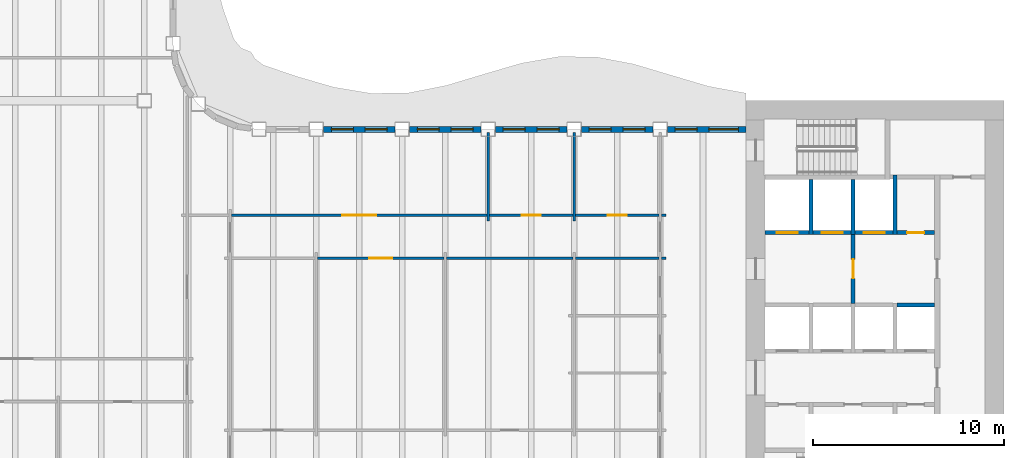
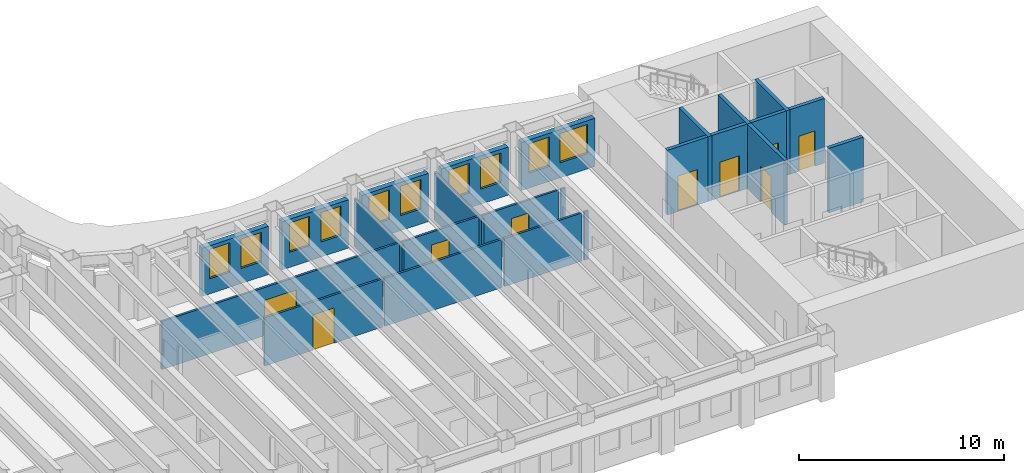
# One storey, part 7 of 17: 24 walls, 10 windows, 9 doors, 19 openings.
"""IFC4 building model written with IfcOpenShell, lengths in metres."""

from ifc_helpers import new_model, si_unit, direction, frame, frame_2d, origin, place, context, subcontext, project, spatial, rectangle, extrude, material, layer, layer_set, type_object, element, fill, save


model = new_model("IFC4")

# Units and contexts
model_context = context("Model", 3, precision=1e-05, world=origin(), true_north=direction((0.0, 1.0)))
body_context = subcontext(model_context, "Body", "Model", "MODEL_VIEW")
ifc_project = project(units=[si_unit("LENGTHUNIT", "METRE"), si_unit("AREAUNIT", "SQUARE_METRE"), si_unit("VOLUMEUNIT", "CUBIC_METRE"), si_unit("PLANEANGLEUNIT", "RADIAN"), si_unit("MASSUNIT", "GRAM", prefix="KILO")], contexts=[model_context])

# Site, building, storey
site_placement = place(None, origin())
site = spatial("IfcSite", under=ifc_project, at=site_placement, CompositionType="ELEMENT")
building_placement = place(site_placement, origin())
building = spatial("IfcBuilding", under=site, at=building_placement, Name="Sennacour Bend Tower", CompositionType="ELEMENT")
storey_placement = place(building_placement, frame((0.0, 0.0, 215.0)))
storey = spatial("IfcBuildingStorey", under=building, at=storey_placement, Name="L49", CompositionType="ELEMENT", Elevation=215.0)

# Walls
ifc_material_1 = material(Name="Plasterboard partition on steel studs", Category="steel")
ifc_layer_1 = layer(ifc_material_1, 0.1201171875, Name="Plasterboard partition on steel studs", Category="steel")
ifc_layer_set_1 = layer_set([ifc_layer_1], Name="Plasterboard partition on steel studs")
wall_type_1 = type_object("IfcWallType", Name="Partition 120", PredefinedType="PARTITIONING", material=ifc_layer_set_1)
for number, where, z_axis, x_axis, name in (
    (1, (40.5, 16.199951171875, 0.0), (0.0, 0.0, 1.0), (0.0, 1.0, 0.0), "P-L49-W029a"),
    (2, (45.0, 16.199951171875, 0.0), (0.0, 0.0, 1.0), (0.0, 1.0, 0.0), "P-L49-W032a"),
):
    element("IfcWall", number, at=place(storey_placement, frame(where, z_axis=z_axis, x_axis=x_axis)), inside=storey, type_object=wall_type_1, Name=name, PredefinedType="PARTITIONING", context=body_context, shape_type="SweptSolid", body=[
        extrude(rectangle(XDim=4.650146484375, YDim=0.1201171875, at=frame_2d((2.3251953125, 0.0))), origin(), (0.0, 0.0, 1.0), 2.8701171875),
    ])

# Wall, opening, door
wall_1_placement = place(storey_placement, frame((31.56005859375, 14.25, 0.0), z_axis=(0.0, 0.0, 1.0), x_axis=(1.0, 0.0, 0.0)))
wall_1 = element("IfcWall", 3, at=wall_1_placement, inside=storey, type_object=wall_type_1, Name="P-L49-W065ac", PredefinedType="PARTITIONING", context=body_context, shape_type="SweptSolid", body=[
    extrude(rectangle(XDim=6.6298828125, YDim=0.1201171875, at=frame_2d((3.31494140625, 0.0))), origin(), (0.0, 0.0, 1.0), 2.8701171875),
])
opening_1_placement = place(wall_1_placement, frame((2.71484375, 0.0, 0.0)))
opening_1 = element("IfcOpeningElement", 4, at=opening_1_placement, cuts=wall_1, Name="Opening OD", PredefinedType="OPENING", context=body_context, shape_type="SweptSolid", body=[
    extrude(rectangle(XDim=1.199951171875, YDim=2.10009765625, at=frame_2d((0.60009765625, 1.050048828125))), frame((0.0, 0.070068359375, 0.0), z_axis=(0.0, -1.0, 0.0), x_axis=(1.0, 0.0, 0.0)), (0.0, 0.0, 1.0), 0.14013671875),
])
ifc_material_2 = material(Name="Timber", Category="wood")
door_type_1 = type_object("IfcDoorType", Name="DR-OFFICE-1200", OperationType="NOTDEFINED", PredefinedType="DOOR", material=ifc_material_2)
door_1_placement = place(opening_1_placement, origin())
door_1 = element("IfcDoor", 5, at=door_1_placement, inside=storey, type_object=door_type_1, Name="Door", OperationType="SINGLE_SWING_LEFT", OverallHeight=2.10009765625, OverallWidth=1.199951171875, PredefinedType="DOOR", context=body_context, shape_type="SweptSolid", body=[
    extrude(rectangle(XDim=1.199951171875, YDim=2.10009765625, at=frame_2d((0.60009765625, 1.050048828125))), frame((0.0, 0.02490234375, 0.0), z_axis=(0.0, -1.0, 0.0), x_axis=(1.0, 0.0, 0.0)), (0.0, 0.0, 1.0), 0.050048828125),
])
fill(opening_1, door_1)

# Walls
wall_2_placement = place(storey_placement, frame((38.31005859375, 14.25, 0.0), z_axis=(0.0, 0.0, 1.0), x_axis=(1.0, 0.0, 0.0)))
element("IfcWall", 6, at=wall_2_placement, inside=storey, type_object=wall_type_1, Name="P-L49-W065ad", PredefinedType="PARTITIONING", context=body_context, shape_type="SweptSolid", body=[
    extrude(rectangle(XDim=6.6298828125, YDim=0.1201171875, at=frame_2d((3.31494140625, 0.0))), origin(), (0.0, 0.0, 1.0), 2.8701171875),
])
wall_3_placement = place(storey_placement, frame((45.06005859375, 14.25, 0.0), z_axis=(0.0, 0.0, 1.0), x_axis=(1.0, 0.0, 0.0)))
element("IfcWall", 7, at=wall_3_placement, inside=storey, type_object=wall_type_1, Name="P-L49-W065ae", PredefinedType="PARTITIONING", context=body_context, shape_type="SweptSolid", body=[
    extrude(rectangle(XDim=4.3798828125, YDim=0.1201171875, at=frame_2d((2.18994140625, 0.0))), origin(), (0.0, 0.0, 1.0), 2.8701171875),
])
wall_4_placement = place(storey_placement, frame((49.56005859375, 14.25, 0.0), z_axis=(0.0, 0.0, 1.0), x_axis=(1.0, 0.0, 0.0)))
element("IfcWall", 8, at=wall_4_placement, inside=storey, type_object=wall_type_1, Name="P-L49-W065af", PredefinedType="PARTITIONING", context=body_context, shape_type="SweptSolid", body=[
    extrude(rectangle(XDim=0.239990234375, YDim=0.1201171875, at=frame_2d((0.1201171875, 0.0))), origin(), (0.0, 0.0, 1.0), 2.8701171875),
])

# Wall, opening, door
wall_5_placement = place(storey_placement, frame((27.06005859375, 16.5, 0.0), z_axis=(0.0, 0.0, 1.0), x_axis=(1.0, 0.0, 0.0)))
wall_5 = element("IfcWall", 9, at=wall_5_placement, inside=storey, type_object=wall_type_1, Name="P-L49-W068ac", PredefinedType="PARTITIONING", context=body_context, shape_type="SweptSolid", body=[
    extrude(rectangle(XDim=13.3798828125, YDim=0.1201171875, at=frame_2d((6.68994140625, 0.0))), origin(), (0.0, 0.0, 1.0), 2.8701171875),
])
opening_2_placement = place(wall_5_placement, frame((5.789794921875, 0.0, 0.0)))
opening_2 = element("IfcOpeningElement", 10, at=opening_2_placement, cuts=wall_5, Name="Opening OD3", PredefinedType="OPENING", context=body_context, shape_type="SweptSolid", body=[
    extrude(rectangle(XDim=1.800048828125, YDim=2.10009765625, at=frame_2d((0.89990234375, 1.050048828125))), frame((0.0, 0.070068359375, 0.0), z_axis=(0.0, -1.0, 0.0), x_axis=(1.0, 0.0, 0.0)), (0.0, 0.0, 1.0), 0.14013671875),
])
door_type_2 = type_object("IfcDoorType", Name="DR-OFFICE-1800", OperationType="NOTDEFINED", PredefinedType="DOOR", material=ifc_material_2)
door_2_placement = place(opening_2_placement, origin())
door_2 = element("IfcDoor", 11, at=door_2_placement, inside=storey, type_object=door_type_2, Name="Door", OperationType="DOUBLE_DOOR_SINGLE_SWING", OverallHeight=2.10009765625, OverallWidth=1.800048828125, PredefinedType="DOOR", context=body_context, shape_type="SweptSolid", body=[
    extrude(rectangle(XDim=1.800048828125, YDim=2.10009765625, at=frame_2d((0.89990234375, 1.050048828125))), frame((0.0, 0.02490234375, 0.0), z_axis=(0.0, -1.0, 0.0), x_axis=(1.0, 0.0, 0.0)), (0.0, 0.0, 1.0), 0.050048828125),
])
fill(opening_2, door_2)

wall_6_placement = place(storey_placement, frame((40.56005859375, 16.5, 0.0), z_axis=(0.0, 0.0, 1.0), x_axis=(1.0, 0.0, 0.0)))
wall_6 = element("IfcWall", 12, at=wall_6_placement, inside=storey, type_object=wall_type_1, Name="P-L49-W068ad", PredefinedType="PARTITIONING", context=body_context, shape_type="SweptSolid", body=[
    extrude(rectangle(XDim=4.3798828125, YDim=0.1201171875, at=frame_2d((2.18994140625, 0.0))), origin(), (0.0, 0.0, 1.0), 2.8701171875),
])
opening_3_placement = place(wall_6_placement, frame((1.68994140625, 0.0, 0.0)))
opening_3 = element("IfcOpeningElement", 13, at=opening_3_placement, cuts=wall_6, Name="Opening OD2", PredefinedType="OPENING", context=body_context, shape_type="SweptSolid", body=[
    extrude(rectangle(XDim=1.0, YDim=2.10009765625, at=frame_2d((0.5, 1.050048828125))), frame((0.0, 0.070068359375, 0.0), z_axis=(0.0, -1.0, 0.0), x_axis=(1.0, 0.0, 0.0)), (0.0, 0.0, 1.0), 0.14013671875),
])
door_type_3 = type_object("IfcDoorType", Name="DR-OFFICE-1000", OperationType="NOTDEFINED", PredefinedType="DOOR", material=ifc_material_2)
door_3_placement = place(opening_3_placement, origin())
door_3 = element("IfcDoor", 14, at=door_3_placement, inside=storey, type_object=door_type_3, Name="Door", OperationType="SINGLE_SWING_LEFT", OverallHeight=2.10009765625, OverallWidth=1.0, PredefinedType="DOOR", context=body_context, shape_type="SweptSolid", body=[
    extrude(rectangle(XDim=1.0, YDim=2.10009765625, at=frame_2d((0.5, 1.050048828125))), frame((0.0, 0.02490234375, 0.0), z_axis=(0.0, -1.0, 0.0), x_axis=(1.0, 0.0, 0.0)), (0.0, 0.0, 1.0), 0.050048828125),
])
fill(opening_3, door_3)

wall_7_placement = place(storey_placement, frame((45.06005859375, 16.5, 0.0), z_axis=(0.0, 0.0, 1.0), x_axis=(1.0, 0.0, 0.0)))
wall_7 = element("IfcWall", 15, at=wall_7_placement, inside=storey, type_object=wall_type_1, Name="P-L49-W068ae", PredefinedType="PARTITIONING", context=body_context, shape_type="SweptSolid", body=[
    extrude(rectangle(XDim=4.3798828125, YDim=0.1201171875, at=frame_2d((2.18994140625, 0.0))), origin(), (0.0, 0.0, 1.0), 2.8701171875),
])
opening_4_placement = place(wall_7_placement, frame((1.68994140625, 0.0, 0.0)))
opening_4 = element("IfcOpeningElement", 16, at=opening_4_placement, cuts=wall_7, Name="Opening OD2", PredefinedType="OPENING", context=body_context, shape_type="SweptSolid", body=[
    extrude(rectangle(XDim=1.0, YDim=2.10009765625, at=frame_2d((0.5, 1.050048828125))), frame((0.0, 0.070068359375, 0.0), z_axis=(0.0, -1.0, 0.0), x_axis=(1.0, 0.0, 0.0)), (0.0, 0.0, 1.0), 0.14013671875),
])
door_4_placement = place(opening_4_placement, origin())
door_4 = element("IfcDoor", 17, at=door_4_placement, inside=storey, type_object=door_type_3, Name="Door", OperationType="SINGLE_SWING_LEFT", OverallHeight=2.10009765625, OverallWidth=1.0, PredefinedType="DOOR", context=body_context, shape_type="SweptSolid", body=[
    extrude(rectangle(XDim=1.0, YDim=2.10009765625, at=frame_2d((0.5, 1.050048828125))), frame((0.0, 0.02490234375, 0.0), z_axis=(0.0, -1.0, 0.0), x_axis=(1.0, 0.0, 0.0)), (0.0, 0.0, 1.0), 0.050048828125),
])
fill(opening_4, door_4)

# Wall
wall_8_placement = place(storey_placement, frame((49.56005859375, 16.5, 0.0), z_axis=(0.0, 0.0, 1.0), x_axis=(1.0, 0.0, 0.0)))
element("IfcWall", 18, at=wall_8_placement, inside=storey, type_object=wall_type_1, Name="P-L49-W068af", PredefinedType="PARTITIONING", context=body_context, shape_type="SweptSolid", body=[
    extrude(rectangle(XDim=0.239990234375, YDim=0.1201171875, at=frame_2d((0.1201171875, 0.0))), origin(), (0.0, 0.0, 1.0), 2.8701171875),
])

# Wall, opening, door
ifc_material_3 = material(Name="Fire-rated plasterboard partition on steel studs", Category="steel")
ifc_layer_2 = layer(ifc_material_3, 0.199951171875, Name="Fire-rated plasterboard partition on steel studs", Category="steel")
ifc_layer_set_2 = layer_set([ifc_layer_2], Name="Fire-rated plasterboard partition on steel studs")
wall_type_2 = type_object("IfcWallType", Name="Rated partition 200", PredefinedType="PARTITIONING", material=ifc_layer_set_2)
wall_9_placement = place(storey_placement, frame((61.89990234375, 15.60009765625, 0.0), z_axis=(0.0, 0.0, 1.0), x_axis=(1.0, 0.0, 0.0)))
wall_9 = element("IfcWall", 19, at=wall_9_placement, inside=storey, type_object=wall_type_2, Name="P-L49-W067", PredefinedType="PARTITIONING", context=body_context, shape_type="SweptSolid", body=[
    extrude(rectangle(XDim=1.9501953125, YDim=0.199951171875, at=frame_2d((0.97509765625, 0.0))), origin(), (0.0, 0.0, 1.0), 3.85009765625),
])
opening_5_placement = place(wall_9_placement, frame((0.525146484375, 0.0, 0.0)))
opening_5 = element("IfcOpeningElement", 20, at=opening_5_placement, cuts=wall_9, Name="Opening SV", PredefinedType="OPENING", context=body_context, shape_type="SweptSolid", body=[
    extrude(rectangle(XDim=0.89990234375, YDim=2.10009765625, at=frame_2d((0.449951171875, 1.050048828125))), frame((0.0, 0.10986328125, 0.0), z_axis=(0.0, -1.0, 0.0), x_axis=(1.0, 0.0, 0.0)), (0.0, 0.0, 1.0), 0.219970703125),
])
ifc_material_4 = material(Name="Painted steel", Category="steel")
door_type_4 = type_object("IfcDoorType", Name="DR-SERVICE-900", OperationType="NOTDEFINED", PredefinedType="DOOR", material=ifc_material_4)
door_5_placement = place(opening_5_placement, origin())
door_5 = element("IfcDoor", 21, at=door_5_placement, inside=storey, type_object=door_type_4, Name="Door", OperationType="SINGLE_SWING_RIGHT", OverallHeight=2.10009765625, OverallWidth=0.89990234375, PredefinedType="DOOR", context=body_context, shape_type="SweptSolid", body=[
    extrude(rectangle(XDim=0.89990234375, YDim=2.10009765625, at=frame_2d((0.449951171875, 1.050048828125))), frame((0.0, 0.02490234375, 0.0), z_axis=(0.0, -1.0, 0.0), x_axis=(1.0, 0.0, 0.0)), (0.0, 0.0, 1.0), 0.050048828125),
])
fill(opening_5, door_5)

ifc_layer_3 = layer(ifc_material_3, 0.199951171875, Name="Fire-rated plasterboard partition on steel studs", Category="steel")
ifc_layer_set_3 = layer_set([ifc_layer_3], Name="Fire-rated plasterboard partition on steel studs")
wall_type_3 = type_object("IfcWallType", Name="Rated partition 200 EI 90", PredefinedType="PARTITIONING", material=ifc_layer_set_3)
wall_10_placement = place(storey_placement, frame((59.60009765625, 11.89990234375, 0.0), z_axis=(0.0, 0.0, 1.0), x_axis=(0.0, 1.0, 0.0)))
wall_10 = element("IfcWall", 22, at=wall_10_placement, inside=storey, type_object=wall_type_3, Name="P-L49-W039", PredefinedType="PARTITIONING", context=body_context, shape_type="SweptSolid", body=[
    extrude(rectangle(XDim=3.60009765625, YDim=0.199951171875, at=frame_2d((1.800048828125, 0.0))), origin(), (0.0, 0.0, 1.0), 3.85009765625),
])
opening_6_placement = place(wall_10_placement, frame((1.300048828125, 0.0, 0.0)))
opening_6 = element("IfcOpeningElement", 23, at=opening_6_placement, cuts=wall_10, Name="Opening FD2", PredefinedType="OPENING", context=body_context, shape_type="SweptSolid", body=[
    extrude(rectangle(XDim=1.0, YDim=2.10009765625, at=frame_2d((0.5, 1.050048828125))), frame((0.0, 0.10986328125, 0.0), z_axis=(0.0, -1.0, 0.0), x_axis=(1.0, 0.0, 0.0)), (0.0, 0.0, 1.0), 0.219970703125),
])
door_type_5 = type_object("IfcDoorType", Name="DR-FFL-1000", OperationType="NOTDEFINED", PredefinedType="DOOR", material=ifc_material_4)
door_6_placement = place(opening_6_placement, origin())
door_6 = element("IfcDoor", 24, at=door_6_placement, inside=storey, type_object=door_type_5, Name="Door", OperationType="SINGLE_SWING_LEFT", OverallHeight=2.10009765625, OverallWidth=1.0, PredefinedType="DOOR", context=body_context, shape_type="SweptSolid", body=[
    extrude(rectangle(XDim=1.0, YDim=2.10009765625, at=frame_2d((0.5, 1.050048828125))), frame((0.0, 0.02490234375, 0.0), z_axis=(0.0, -1.0, 0.0), x_axis=(1.0, 0.0, 0.0)), (0.0, 0.0, 1.0), 0.050048828125),
])
fill(opening_6, door_6)

# Wall, openings, windows
ifc_material_5 = material(Name="Warm limestone cladding", Category="masonry")
ifc_layer_4 = layer(ifc_material_5, 0.050048828125, Name="Warm limestone cladding", Category="masonry")
ifc_material_6 = material(Name="Precast concrete C40/50", Category="concrete")
ifc_layer_5 = layer(ifc_material_6, 0.25, Name="Precast concrete C40/50", Category="concrete")
ifc_layer_set_4 = layer_set([ifc_layer_4, ifc_layer_5], Name="Precast concrete C40/50 with limestone cladding")
wall_type_4 = type_object("IfcWallType", Name="STONE-CLAD PRECAST SPANDREL 300", PredefinedType="STANDARD", material=ifc_layer_set_4)
wall_11_placement = place(storey_placement, frame((54.0, 21.0, 0.0), z_axis=(0.0, 0.0, 1.0), x_axis=(-1.0, 0.0, 0.0)))
wall_11 = element("IfcWall", 25, at=wall_11_placement, inside=storey, type_object=wall_type_4, Name="Stone spandrel and pier wall L49 06.00", PredefinedType="STANDARD", context=body_context, shape_type="SweptSolid", body=[
    extrude(rectangle(XDim=4.125, YDim=0.300048828125, at=frame_2d((2.0625, 0.0))), origin(), (0.0, 0.0, 1.0), 2.8701171875),
])
opening_7_placement = place(wall_11_placement, frame((0.39990234375, 0.0, 0.89990234375)))
opening_7 = element("IfcOpeningElement", 26, at=opening_7_placement, cuts=wall_11, Name="Opening W12", PredefinedType="OPENING", context=body_context, shape_type="SweptSolid", body=[
    extrude(rectangle(XDim=1.550048828125, YDim=1.75, at=frame_2d((0.77490234375, 0.875))), frame((0.0, 0.16015625, 0.0), z_axis=(0.0, -1.0, 0.0), x_axis=(1.0, 0.0, 0.0)), (0.0, 0.0, 1.0), 0.320068359375),
])
opening_8_placement = place(wall_11_placement, frame((2.5625, 0.0, 0.89990234375)))
opening_8 = element("IfcOpeningElement", 27, at=opening_8_placement, cuts=wall_11, Name="Opening W23", PredefinedType="OPENING", context=body_context, shape_type="SweptSolid", body=[
    extrude(rectangle(XDim=1.14990234375, YDim=1.75, at=frame_2d((0.574951171875, 0.875))), frame((0.0, 0.16015625, 0.0), z_axis=(0.0, -1.0, 0.0), x_axis=(1.0, 0.0, 0.0)), (0.0, 0.0, 1.0), 0.320068359375),
])
ifc_material_7 = material(Name="Clear low-emissivity glass", Category="glass")
window_type_1 = type_object("IfcWindowType", Name="WIN-RIBBON-1150x1750", PartitioningType="SINGLE_PANEL", PredefinedType="WINDOW", material=ifc_material_7)
window_1_placement = place(opening_8_placement, origin())
window_1 = element("IfcWindow", 28, at=window_1_placement, inside=storey, type_object=window_type_1, Name="Ribbon window L49 06.00.1", OverallHeight=1.75, OverallWidth=1.14990234375, PartitioningType="SINGLE_PANEL", PredefinedType="WINDOW", context=body_context, shape_type="SweptSolid", body=[
    extrude(rectangle(XDim=1.14990234375, YDim=1.75, at=frame_2d((0.574951171875, 0.875))), frame((0.0, 0.030029296875, 0.0), z_axis=(0.0, -1.0, 0.0), x_axis=(1.0, 0.0, 0.0)), (0.0, 0.0, 1.0), 0.06005859375),
])
fill(opening_8, window_1)
window_type_2 = type_object("IfcWindowType", Name="WIN-RIBBON-1550x1750", PartitioningType="SINGLE_PANEL", PredefinedType="WINDOW", material=ifc_material_7)
window_2_placement = place(opening_7_placement, origin())
window_2 = element("IfcWindow", 29, at=window_2_placement, inside=storey, type_object=window_type_2, Name="Ribbon window L49 06.00.0", OverallHeight=1.75, OverallWidth=1.550048828125, PartitioningType="SINGLE_PANEL", PredefinedType="WINDOW", context=body_context, shape_type="SweptSolid", body=[
    extrude(rectangle(XDim=1.550048828125, YDim=1.75, at=frame_2d((0.77490234375, 0.875))), frame((0.0, 0.030029296875, 0.0), z_axis=(0.0, -1.0, 0.0), x_axis=(1.0, 0.0, 0.0)), (0.0, 0.0, 1.0), 0.06005859375),
])
fill(opening_7, window_2)

wall_12_placement = place(storey_placement, frame((49.125, 21.0, 0.0), z_axis=(0.0, 0.0, 1.0), x_axis=(-1.0, 0.0, 0.0)))
wall_12 = element("IfcWall", 30, at=wall_12_placement, inside=storey, type_object=wall_type_4, Name="Stone spandrel and pier wall L49 06.01", PredefinedType="STANDARD", context=body_context, shape_type="SweptSolid", body=[
    extrude(rectangle(XDim=3.75, YDim=0.300048828125, at=frame_2d((1.875, 0.0))), origin(), (0.0, 0.0, 1.0), 2.8701171875),
])
opening_9_placement = place(wall_12_placement, frame((0.41259765625, 0.0, 0.89990234375)))
opening_9 = element("IfcOpeningElement", 31, at=opening_9_placement, cuts=wall_12, Name="Opening W23", PredefinedType="OPENING", context=body_context, shape_type="SweptSolid", body=[
    extrude(rectangle(XDim=1.14990234375, YDim=1.75, at=frame_2d((0.574951171875, 0.875))), frame((0.0, 0.16015625, 0.0), z_axis=(0.0, -1.0, 0.0), x_axis=(1.0, 0.0, 0.0)), (0.0, 0.0, 1.0), 0.320068359375),
])
opening_10_placement = place(wall_12_placement, frame((2.1875, 0.0, 0.89990234375)))
opening_10 = element("IfcOpeningElement", 32, at=opening_10_placement, cuts=wall_12, Name="Opening W23", PredefinedType="OPENING", context=body_context, shape_type="SweptSolid", body=[
    extrude(rectangle(XDim=1.14990234375, YDim=1.75, at=frame_2d((0.574951171875, 0.875))), frame((0.0, 0.16015625, 0.0), z_axis=(0.0, -1.0, 0.0), x_axis=(1.0, 0.0, 0.0)), (0.0, 0.0, 1.0), 0.320068359375),
])
window_3_placement = place(opening_9_placement, origin())
window_3 = element("IfcWindow", 33, at=window_3_placement, inside=storey, type_object=window_type_1, Name="Ribbon window L49 06.01.0", OverallHeight=1.75, OverallWidth=1.14990234375, PartitioningType="SINGLE_PANEL", PredefinedType="WINDOW", context=body_context, shape_type="SweptSolid", body=[
    extrude(rectangle(XDim=1.14990234375, YDim=1.75, at=frame_2d((0.574951171875, 0.875))), frame((0.0, 0.030029296875, 0.0), z_axis=(0.0, -1.0, 0.0), x_axis=(1.0, 0.0, 0.0)), (0.0, 0.0, 1.0), 0.06005859375),
])
fill(opening_9, window_3)
window_4_placement = place(opening_10_placement, origin())
window_4 = element("IfcWindow", 34, at=window_4_placement, inside=storey, type_object=window_type_1, Name="Ribbon window L49 06.01.1", OverallHeight=1.75, OverallWidth=1.14990234375, PartitioningType="SINGLE_PANEL", PredefinedType="WINDOW", context=body_context, shape_type="SweptSolid", body=[
    extrude(rectangle(XDim=1.14990234375, YDim=1.75, at=frame_2d((0.574951171875, 0.875))), frame((0.0, 0.030029296875, 0.0), z_axis=(0.0, -1.0, 0.0), x_axis=(1.0, 0.0, 0.0)), (0.0, 0.0, 1.0), 0.06005859375),
])
fill(opening_10, window_4)

wall_13_placement = place(storey_placement, frame((44.625, 21.0, 0.0), z_axis=(0.0, 0.0, 1.0), x_axis=(-1.0, 0.0, 0.0)))
wall_13 = element("IfcWall", 35, at=wall_13_placement, inside=storey, type_object=wall_type_4, Name="Stone spandrel and pier wall L49 06.02", PredefinedType="STANDARD", context=body_context, shape_type="SweptSolid", body=[
    extrude(rectangle(XDim=3.75, YDim=0.300048828125, at=frame_2d((1.875, 0.0))), origin(), (0.0, 0.0, 1.0), 2.8701171875),
])
opening_11_placement = place(wall_13_placement, frame((0.41259765625, 0.0, 0.89990234375)))
opening_11 = element("IfcOpeningElement", 36, at=opening_11_placement, cuts=wall_13, Name="Opening W23", PredefinedType="OPENING", context=body_context, shape_type="SweptSolid", body=[
    extrude(rectangle(XDim=1.14990234375, YDim=1.75, at=frame_2d((0.574951171875, 0.875))), frame((0.0, 0.16015625, 0.0), z_axis=(0.0, -1.0, 0.0), x_axis=(1.0, 0.0, 0.0)), (0.0, 0.0, 1.0), 0.320068359375),
])
opening_12_placement = place(wall_13_placement, frame((2.1875, 0.0, 0.89990234375)))
opening_12 = element("IfcOpeningElement", 37, at=opening_12_placement, cuts=wall_13, Name="Opening W23", PredefinedType="OPENING", context=body_context, shape_type="SweptSolid", body=[
    extrude(rectangle(XDim=1.14990234375, YDim=1.75, at=frame_2d((0.574951171875, 0.875))), frame((0.0, 0.16015625, 0.0), z_axis=(0.0, -1.0, 0.0), x_axis=(1.0, 0.0, 0.0)), (0.0, 0.0, 1.0), 0.320068359375),
])
window_5_placement = place(opening_11_placement, origin())
window_5 = element("IfcWindow", 38, at=window_5_placement, inside=storey, type_object=window_type_1, Name="Ribbon window L49 06.02.0", OverallHeight=1.75, OverallWidth=1.14990234375, PartitioningType="SINGLE_PANEL", PredefinedType="WINDOW", context=body_context, shape_type="SweptSolid", body=[
    extrude(rectangle(XDim=1.14990234375, YDim=1.75, at=frame_2d((0.574951171875, 0.875))), frame((0.0, 0.030029296875, 0.0), z_axis=(0.0, -1.0, 0.0), x_axis=(1.0, 0.0, 0.0)), (0.0, 0.0, 1.0), 0.06005859375),
])
fill(opening_11, window_5)
window_6_placement = place(opening_12_placement, origin())
window_6 = element("IfcWindow", 39, at=window_6_placement, inside=storey, type_object=window_type_1, Name="Ribbon window L49 06.02.1", OverallHeight=1.75, OverallWidth=1.14990234375, PartitioningType="SINGLE_PANEL", PredefinedType="WINDOW", context=body_context, shape_type="SweptSolid", body=[
    extrude(rectangle(XDim=1.14990234375, YDim=1.75, at=frame_2d((0.574951171875, 0.875))), frame((0.0, 0.030029296875, 0.0), z_axis=(0.0, -1.0, 0.0), x_axis=(1.0, 0.0, 0.0)), (0.0, 0.0, 1.0), 0.06005859375),
])
fill(opening_12, window_6)

wall_14_placement = place(storey_placement, frame((40.125, 21.0, 0.0), z_axis=(0.0, 0.0, 1.0), x_axis=(-1.0, 0.0, 0.0)))
wall_14 = element("IfcWall", 40, at=wall_14_placement, inside=storey, type_object=wall_type_4, Name="Stone spandrel and pier wall L49 06.03", PredefinedType="STANDARD", context=body_context, shape_type="SweptSolid", body=[
    extrude(rectangle(XDim=3.75, YDim=0.300048828125, at=frame_2d((1.875, 0.0))), origin(), (0.0, 0.0, 1.0), 2.8701171875),
])
opening_13_placement = place(wall_14_placement, frame((0.41259765625, 0.0, 0.89990234375)))
opening_13 = element("IfcOpeningElement", 41, at=opening_13_placement, cuts=wall_14, Name="Opening W23", PredefinedType="OPENING", context=body_context, shape_type="SweptSolid", body=[
    extrude(rectangle(XDim=1.14990234375, YDim=1.75, at=frame_2d((0.574951171875, 0.875))), frame((0.0, 0.16015625, 0.0), z_axis=(0.0, -1.0, 0.0), x_axis=(1.0, 0.0, 0.0)), (0.0, 0.0, 1.0), 0.320068359375),
])
opening_14_placement = place(wall_14_placement, frame((2.1875, 0.0, 0.89990234375)))
opening_14 = element("IfcOpeningElement", 42, at=opening_14_placement, cuts=wall_14, Name="Opening W23", PredefinedType="OPENING", context=body_context, shape_type="SweptSolid", body=[
    extrude(rectangle(XDim=1.14990234375, YDim=1.75, at=frame_2d((0.574951171875, 0.875))), frame((0.0, 0.16015625, 0.0), z_axis=(0.0, -1.0, 0.0), x_axis=(1.0, 0.0, 0.0)), (0.0, 0.0, 1.0), 0.320068359375),
])
window_7_placement = place(opening_13_placement, origin())
window_7 = element("IfcWindow", 43, at=window_7_placement, inside=storey, type_object=window_type_1, Name="Ribbon window L49 06.03.0", OverallHeight=1.75, OverallWidth=1.14990234375, PartitioningType="SINGLE_PANEL", PredefinedType="WINDOW", context=body_context, shape_type="SweptSolid", body=[
    extrude(rectangle(XDim=1.14990234375, YDim=1.75, at=frame_2d((0.574951171875, 0.875))), frame((0.0, 0.030029296875, 0.0), z_axis=(0.0, -1.0, 0.0), x_axis=(1.0, 0.0, 0.0)), (0.0, 0.0, 1.0), 0.06005859375),
])
fill(opening_13, window_7)
window_8_placement = place(opening_14_placement, origin())
window_8 = element("IfcWindow", 44, at=window_8_placement, inside=storey, type_object=window_type_1, Name="Ribbon window L49 06.03.1", OverallHeight=1.75, OverallWidth=1.14990234375, PartitioningType="SINGLE_PANEL", PredefinedType="WINDOW", context=body_context, shape_type="SweptSolid", body=[
    extrude(rectangle(XDim=1.14990234375, YDim=1.75, at=frame_2d((0.574951171875, 0.875))), frame((0.0, 0.030029296875, 0.0), z_axis=(0.0, -1.0, 0.0), x_axis=(1.0, 0.0, 0.0)), (0.0, 0.0, 1.0), 0.06005859375),
])
fill(opening_14, window_8)

wall_15_placement = place(storey_placement, frame((35.625, 21.0, 0.0), z_axis=(0.0, 0.0, 1.0), x_axis=(-1.0, 0.0, 0.0)))
wall_15 = element("IfcWall", 45, at=wall_15_placement, inside=storey, type_object=wall_type_4, Name="Stone spandrel and pier wall L49 06.04", PredefinedType="STANDARD", context=body_context, shape_type="SweptSolid", body=[
    extrude(rectangle(XDim=3.75, YDim=0.300048828125, at=frame_2d((1.875, 0.0))), origin(), (0.0, 0.0, 1.0), 2.8701171875),
])
opening_15_placement = place(wall_15_placement, frame((0.41259765625, 0.0, 0.89990234375)))
opening_15 = element("IfcOpeningElement", 46, at=opening_15_placement, cuts=wall_15, Name="Opening W23", PredefinedType="OPENING", context=body_context, shape_type="SweptSolid", body=[
    extrude(rectangle(XDim=1.14990234375, YDim=1.75, at=frame_2d((0.574951171875, 0.875))), frame((0.0, 0.16015625, 0.0), z_axis=(0.0, -1.0, 0.0), x_axis=(1.0, 0.0, 0.0)), (0.0, 0.0, 1.0), 0.320068359375),
])
opening_16_placement = place(wall_15_placement, frame((2.1875, 0.0, 0.89990234375)))
opening_16 = element("IfcOpeningElement", 47, at=opening_16_placement, cuts=wall_15, Name="Opening W23", PredefinedType="OPENING", context=body_context, shape_type="SweptSolid", body=[
    extrude(rectangle(XDim=1.14990234375, YDim=1.75, at=frame_2d((0.574951171875, 0.875))), frame((0.0, 0.16015625, 0.0), z_axis=(0.0, -1.0, 0.0), x_axis=(1.0, 0.0, 0.0)), (0.0, 0.0, 1.0), 0.320068359375),
])
window_9_placement = place(opening_15_placement, origin())
window_9 = element("IfcWindow", 48, at=window_9_placement, inside=storey, type_object=window_type_1, Name="Ribbon window L49 06.04.0", OverallHeight=1.75, OverallWidth=1.14990234375, PartitioningType="SINGLE_PANEL", PredefinedType="WINDOW", context=body_context, shape_type="SweptSolid", body=[
    extrude(rectangle(XDim=1.14990234375, YDim=1.75, at=frame_2d((0.574951171875, 0.875))), frame((0.0, 0.030029296875, 0.0), z_axis=(0.0, -1.0, 0.0), x_axis=(1.0, 0.0, 0.0)), (0.0, 0.0, 1.0), 0.06005859375),
])
fill(opening_15, window_9)
window_10_placement = place(opening_16_placement, origin())
window_10 = element("IfcWindow", 49, at=window_10_placement, inside=storey, type_object=window_type_1, Name="Ribbon window L49 06.04.1", OverallHeight=1.75, OverallWidth=1.14990234375, PartitioningType="SINGLE_PANEL", PredefinedType="WINDOW", context=body_context, shape_type="SweptSolid", body=[
    extrude(rectangle(XDim=1.14990234375, YDim=1.75, at=frame_2d((0.574951171875, 0.875))), frame((0.0, 0.030029296875, 0.0), z_axis=(0.0, -1.0, 0.0), x_axis=(1.0, 0.0, 0.0)), (0.0, 0.0, 1.0), 0.06005859375),
])
fill(opening_16, window_10)

# Walls
ifc_material_8 = material(Name="Concrete C50/60", Category="concrete")
ifc_layer_6 = layer(ifc_material_8, 0.199951171875, Name="Concrete C50/60", Category="concrete")
ifc_layer_set_5 = layer_set([ifc_layer_6], Name="Concrete C50/60")
wall_type_5 = type_object("IfcWallType", Name="Shaft wall 200", PredefinedType="SOLIDWALL", material=ifc_layer_set_5)
for number, where, z_axis, x_axis, name in (
    (50, (57.39990234375, 15.5, 0.0), (0.0, 0.0, 1.0), (0.0, 1.0, 0.0), "P-L49-W037"),
    (51, (59.60009765625, 15.5, 0.0), (0.0, 0.0, 1.0), (0.0, 1.0, 0.0), "P-L49-W040"),
):
    element("IfcWall", number, at=place(storey_placement, frame(where, z_axis=z_axis, x_axis=x_axis)), inside=storey, type_object=wall_type_5, Name=name, PredefinedType="SOLIDWALL", context=body_context, shape_type="SweptSolid", body=[
        extrude(rectangle(XDim=2.875, YDim=0.199951171875, at=frame_2d((1.4375, 0.0))), origin(), (0.0, 0.0, 1.0), 3.85009765625),
    ])
wall_16_placement = place(storey_placement, frame((61.800048828125, 15.5, 0.0), z_axis=(0.0, 0.0, 1.0), x_axis=(0.0, 1.0, 0.0)))
element("IfcWall", 52, at=wall_16_placement, inside=storey, type_object=wall_type_5, Name="P-L49-W045", PredefinedType="SOLIDWALL", context=body_context, shape_type="SweptSolid", body=[
    extrude(rectangle(XDim=3.10009765625, YDim=0.199951171875, at=frame_2d((1.550048828125, 0.0))), origin(), (0.0, 0.0, 1.0), 3.85009765625),
])
wall_17_placement = place(storey_placement, frame((61.89990234375, 11.800048828125, 0.0), z_axis=(0.0, 0.0, 1.0), x_axis=(1.0, 0.0, 0.0)))
element("IfcWall", 53, at=wall_17_placement, inside=storey, type_object=wall_type_5, Name="P-L49-W063d", PredefinedType="SOLIDWALL", context=body_context, shape_type="SweptSolid", body=[
    extrude(rectangle(XDim=1.9501953125, YDim=0.199951171875, at=frame_2d((0.97509765625, 0.0))), origin(), (0.0, 0.0, 1.0), 3.85009765625),
])

# Wall, opening, door
wall_18_placement = place(storey_placement, frame((55.0, 15.60009765625, 0.0), z_axis=(0.0, 0.0, 1.0), x_axis=(1.0, 0.0, 0.0)))
wall_18 = element("IfcWall", 54, at=wall_18_placement, inside=storey, type_object=wall_type_5, Name="P-L49-W066a", PredefinedType="SOLIDWALL", context=body_context, shape_type="SweptSolid", body=[
    extrude(rectangle(XDim=2.300048828125, YDim=0.199951171875, at=frame_2d((1.14990234375, 0.0))), origin(), (0.0, 0.0, 1.0), 3.85009765625),
])
opening_17_placement = place(wall_18_placement, frame((0.60009765625, 0.0, 0.011962890625)))
opening_17 = element("IfcOpeningElement", 55, at=opening_17_placement, cuts=wall_18, Name="Opening FLD", PredefinedType="OPENING", context=body_context, shape_type="SweptSolid", body=[
    extrude(rectangle(XDim=1.10009765625, YDim=2.10009765625, at=frame_2d((0.550048828125, 1.050048828125))), frame((0.0, 0.10986328125, 0.0), z_axis=(0.0, -1.0, 0.0), x_axis=(1.0, 0.0, 0.0)), (0.0, 0.0, 1.0), 0.219970703125),
])
ifc_material_9 = material(Name="Stainless steel", Category="steel")
door_type_6 = type_object("IfcDoorType", Name="DR-FF-LANDING-1100", OperationType="NOTDEFINED", PredefinedType="DOOR", material=ifc_material_9)
door_7_placement = place(opening_17_placement, origin())
door_7 = element("IfcDoor", 56, at=door_7_placement, inside=storey, type_object=door_type_6, Name="Fire service lift landing door FA1", OperationType="SLIDING_TO_LEFT", OverallHeight=2.10009765625, OverallWidth=1.10009765625, PredefinedType="DOOR", context=body_context, shape_type="SweptSolid", body=[
    extrude(rectangle(XDim=1.10009765625, YDim=2.10009765625, at=frame_2d((0.550048828125, 1.050048828125))), frame((0.0, 0.02490234375, 0.0), z_axis=(0.0, -1.0, 0.0), x_axis=(1.0, 0.0, 0.0)), (0.0, 0.0, 1.0), 0.050048828125),
])
fill(opening_17, door_7)

wall_19_placement = place(storey_placement, frame((57.5, 15.60009765625, 0.0), z_axis=(0.0, 0.0, 1.0), x_axis=(1.0, 0.0, 0.0)))
wall_19 = element("IfcWall", 57, at=wall_19_placement, inside=storey, type_object=wall_type_5, Name="P-L49-W066b", PredefinedType="SOLIDWALL", context=body_context, shape_type="SweptSolid", body=[
    extrude(rectangle(XDim=2.0, YDim=0.199951171875, at=frame_2d((1.0, 0.0))), origin(), (0.0, 0.0, 1.0), 3.85009765625),
])
opening_18_placement = place(wall_19_placement, frame((0.449951171875, 0.0, 0.011962890625)))
opening_18 = element("IfcOpeningElement", 58, at=opening_18_placement, cuts=wall_19, Name="Opening FLD", PredefinedType="OPENING", context=body_context, shape_type="SweptSolid", body=[
    extrude(rectangle(XDim=1.10009765625, YDim=2.10009765625, at=frame_2d((0.550048828125, 1.050048828125))), frame((0.0, 0.10986328125, 0.0), z_axis=(0.0, -1.0, 0.0), x_axis=(1.0, 0.0, 0.0)), (0.0, 0.0, 1.0), 0.219970703125),
])
door_8_placement = place(opening_18_placement, origin())
door_8 = element("IfcDoor", 59, at=door_8_placement, inside=storey, type_object=door_type_6, Name="Fire service lift landing door FA2", OperationType="SLIDING_TO_RIGHT", OverallHeight=2.10009765625, OverallWidth=1.10009765625, PredefinedType="DOOR", context=body_context, shape_type="SweptSolid", body=[
    extrude(rectangle(XDim=1.10009765625, YDim=2.10009765625, at=frame_2d((0.550048828125, 1.050048828125))), frame((0.0, 0.02490234375, 0.0), z_axis=(0.0, -1.0, 0.0), x_axis=(1.0, 0.0, 0.0)), (0.0, 0.0, 1.0), 0.050048828125),
])
fill(opening_18, door_8)

wall_20_placement = place(storey_placement, frame((59.699951171875, 15.60009765625, 0.0), z_axis=(0.0, 0.0, 1.0), x_axis=(1.0, 0.0, 0.0)))
wall_20 = element("IfcWall", 60, at=wall_20_placement, inside=storey, type_object=wall_type_5, Name="P-L49-W066c", PredefinedType="SOLIDWALL", context=body_context, shape_type="SweptSolid", body=[
    extrude(rectangle(XDim=2.0, YDim=0.199951171875, at=frame_2d((1.0, 0.0))), origin(), (0.0, 0.0, 1.0), 3.85009765625),
])
opening_19_placement = place(wall_20_placement, frame((0.449951171875, 0.0, 0.011962890625)))
opening_19 = element("IfcOpeningElement", 61, at=opening_19_placement, cuts=wall_20, Name="Opening LD", PredefinedType="OPENING", context=body_context, shape_type="SweptSolid", body=[
    extrude(rectangle(XDim=1.10009765625, YDim=2.10009765625, at=frame_2d((0.550048828125, 1.050048828125))), frame((0.0, 0.10986328125, 0.0), z_axis=(0.0, -1.0, 0.0), x_axis=(1.0, 0.0, 0.0)), (0.0, 0.0, 1.0), 0.219970703125),
])
door_type_7 = type_object("IfcDoorType", Name="DR-LANDING-1100", OperationType="NOTDEFINED", PredefinedType="DOOR", material=ifc_material_9)
door_9_placement = place(opening_19_placement, origin())
door_9 = element("IfcDoor", 62, at=door_9_placement, inside=storey, type_object=door_type_7, Name="Lift landing door HA5", OperationType="SLIDING_TO_LEFT", OverallHeight=2.10009765625, OverallWidth=1.10009765625, PredefinedType="DOOR", context=body_context, shape_type="SweptSolid", body=[
    extrude(rectangle(XDim=1.10009765625, YDim=2.10009765625, at=frame_2d((0.550048828125, 1.050048828125))), frame((0.0, 0.02490234375, 0.0), z_axis=(0.0, -1.0, 0.0), x_axis=(1.0, 0.0, 0.0)), (0.0, 0.0, 1.0), 0.050048828125),
])
fill(opening_19, door_9)

save(model, "model.ifc")
